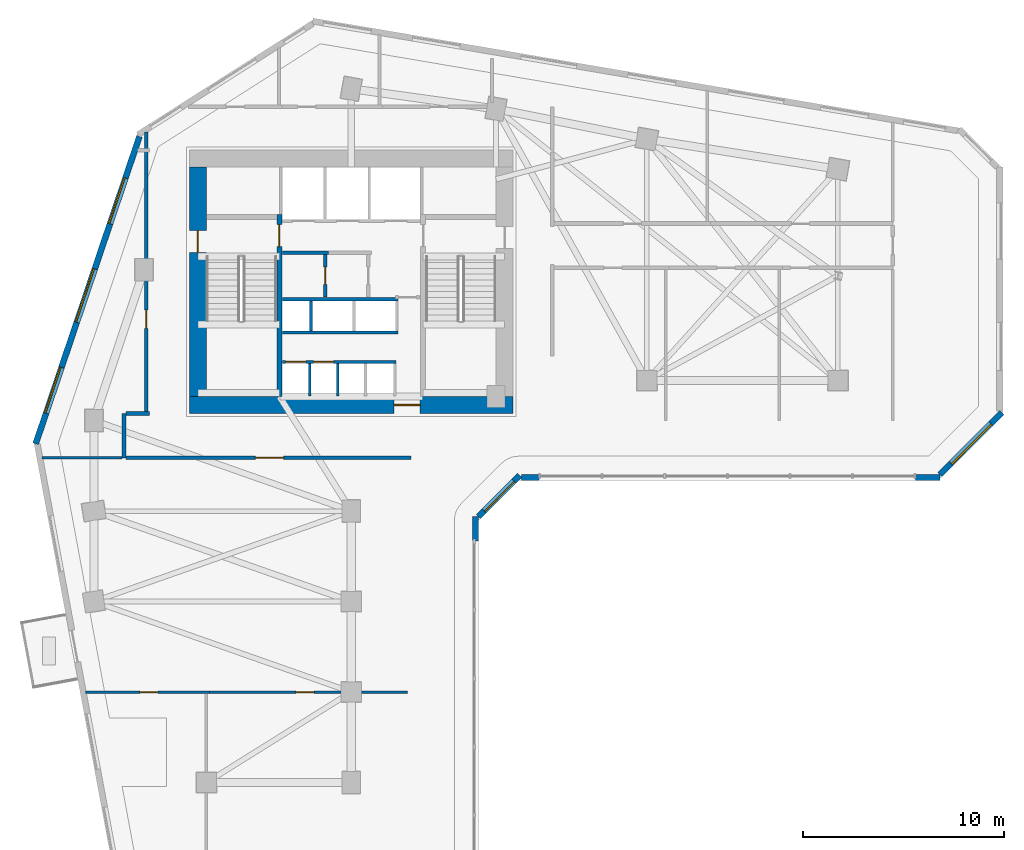
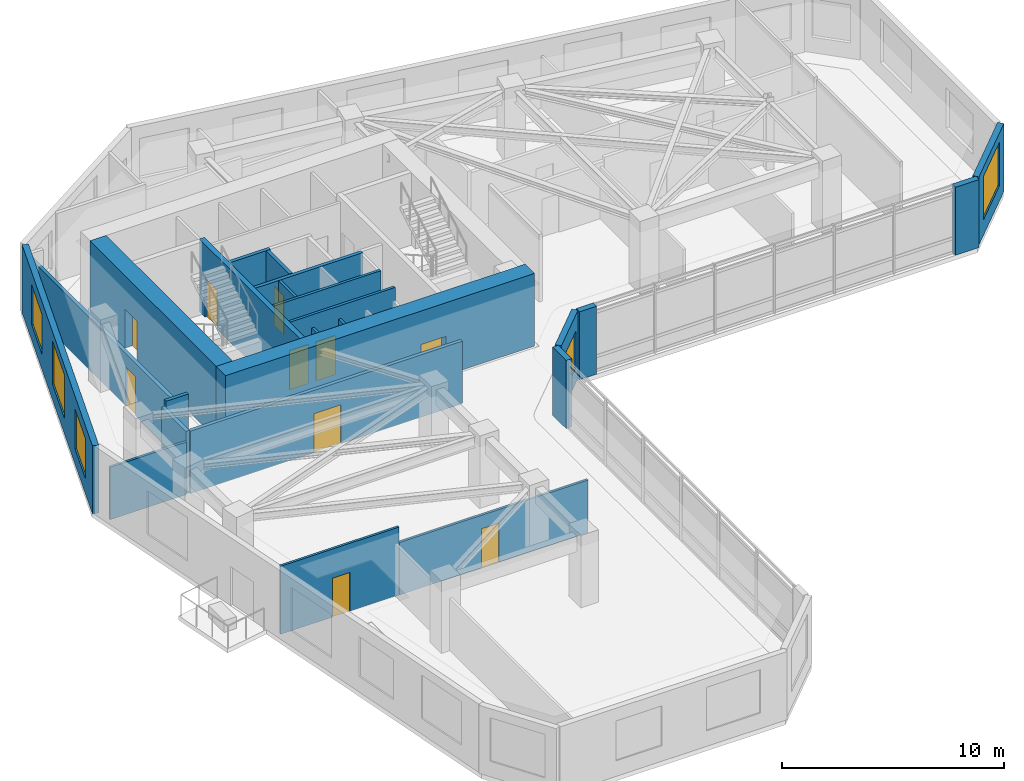
# One storey, part 5 of 9: 24 walls, 10 doors, 5 windows, 15 openings.
"""IFC4 building model written with IfcOpenShell, lengths in metres."""

from ifc_helpers import new_model, si_unit, direction, frame, frame_2d, origin, place, context, subcontext, project, spatial, rectangle, extrude, source, transform, mapped, material, layer, layer_set, type_object, element, fill, save


model = new_model("IFC4")

# Units and contexts
model_context = context("Model", 3, precision=1e-05, world=origin(), true_north=direction((0.0, 1.0)))
body_context = subcontext(model_context, "Body", "Model", "MODEL_VIEW")
ifc_project = project(units=[si_unit("LENGTHUNIT", "METRE"), si_unit("AREAUNIT", "SQUARE_METRE"), si_unit("VOLUMEUNIT", "CUBIC_METRE"), si_unit("PLANEANGLEUNIT", "RADIAN"), si_unit("MASSUNIT", "GRAM", prefix="KILO")], contexts=[model_context])

# Site, building, storey
site_placement = place(None, origin())
site = spatial("IfcSite", under=ifc_project, at=site_placement, CompositionType="ELEMENT")
building_placement = place(site_placement, origin())
building = spatial("IfcBuilding", under=site, at=building_placement, Name="Calvemar Wedge Station Tower", CompositionType="ELEMENT")
storey_placement = place(building_placement, frame((0.0, 0.0, 71.0)))
storey = spatial("IfcBuildingStorey", under=building, at=storey_placement, Name="L17", CompositionType="ELEMENT", Elevation=71.0)

# Wall, opening, door
ifc_material_1 = material(Name="Concrete C50", Category="concrete")
ifc_layer_1 = layer(ifc_material_1, 0.260009765625)
ifc_layer_set_1 = layer_set([ifc_layer_1], Name="Concrete C50")
wall_type_1 = type_object("IfcWallType", Name="SW-CORE-260", PredefinedType="SHEAR", material=ifc_layer_set_1)
wall_1_placement = place(storey_placement, frame((20.22998046875, 34.199951171875, 0.0), z_axis=(0.0, 0.0, 1.0), x_axis=(0.0, 1.0, 0.0)))
wall_1 = element("IfcWall", 1, at=wall_1_placement, inside=storey, type_object=wall_type_1, Name="Storey L17 Core Shear Wall SPINE-W", PredefinedType="SHEAR", context=body_context, shape_type="SweptSolid", body=[
    extrude(rectangle(XDim=9.06005859375, YDim=0.260009765625, at=frame_2d((4.530029296875, 0.0))), origin(), (0.0, 0.0, 1.0), 4.0),
])
shared_shape_1 = source(origin(), body_context, "Body", "SweptSolid", [
    extrude(rectangle(XDim=1.10009765625, YDim=2.14990234375, at=frame_2d((0.550048828125, 1.074951171875))), frame((0.0, 0.14013671875, 0.0), z_axis=(0.0, -1.0, 0.0), x_axis=(1.0, 0.0, 0.0)), (0.0, 0.0, 1.0), 0.280029296875),
])
opening_1_placement = place(wall_1_placement, frame((7.449951171875, 0.0, 0.0)))
opening_1 = element("IfcOpeningElement", 2, at=opening_1_placement, cuts=wall_1, Name="Opening FD-90", PredefinedType="OPENING", context=body_context, shape_type="MappedRepresentation", body=[
    mapped(shared_shape_1, transform((0.0, 0.0, 0.0), scale=1.0)),
])
ifc_material_2 = material(Name="Galvanized fire-rated steel door leaf P-90", Category="steel")
door_type_1 = type_object("IfcDoorType", Name="DR-FD90-1100", OperationType="NOTDEFINED", PredefinedType="DOOR", material=ifc_material_2)
shared_shape_2 = source(origin(), body_context, "Body", "SweptSolid", [
    extrude(rectangle(XDim=1.10009765625, YDim=2.14990234375, at=frame_2d((0.550048828125, 1.074951171875))), frame((0.0, 0.02490234375, 0.0), z_axis=(0.0, -1.0, 0.0), x_axis=(1.0, 0.0, 0.0)), (0.0, 0.0, 1.0), 0.050048828125),
])
door_1_placement = place(opening_1_placement, origin())
door_1 = element("IfcDoor", 3, at=door_1_placement, inside=storey, type_object=door_type_1, Name="L17 FF Lobby to Stair ST-C1 Door", OperationType="SINGLE_SWING_RIGHT", OverallHeight=2.14990234375, OverallWidth=1.10009765625, PredefinedType="DOOR", context=body_context, shape_type="MappedRepresentation", body=[
    mapped(shared_shape_2, transform((0.0, 0.0, 0.0), scale=1.0)),
])
fill(opening_1, door_1)

ifc_material_3 = material(Name="Concrete C80", Category="concrete")
ifc_layer_2 = layer(ifc_material_3, 0.85009765625)
ifc_layer_set_2 = layer_set([ifc_layer_2], Name="Concrete C80")
wall_type_2 = type_object("IfcWallType", Name="SW-CORE-850", PredefinedType="SHEAR", material=ifc_layer_set_2)
wall_2_placement = place(storey_placement, frame((15.75, 33.77490234375, 0.0), z_axis=(0.0, 0.0, 1.0), x_axis=(1.0, 0.0, 0.0)))
wall_2 = element("IfcWall", 4, at=wall_2_placement, inside=storey, type_object=wall_type_2, Name="Storey L17 Core Shear Wall S", PredefinedType="SHEAR", context=body_context, shape_type="SweptSolid", body=[
    extrude(rectangle(XDim=16.10009765625, YDim=0.85009765625, at=frame_2d((8.050048828125, 0.0))), origin(), (0.0, 0.0, 1.0), 4.0),
])
shared_shape_3 = source(origin(), body_context, "Body", "SweptSolid", [
    extrude(rectangle(XDim=1.300048828125, YDim=2.14990234375, at=frame_2d((0.64990234375, 1.074951171875))), frame((0.0, 0.43505859375, 0.0), z_axis=(0.0, -1.0, 0.0), x_axis=(1.0, 0.0, 0.0)), (0.0, 0.0, 1.0), 0.8701171875),
])
opening_2_placement = place(wall_2_placement, frame((10.179931640625, 0.0, 0.0)))
opening_2 = element("IfcOpeningElement", 5, at=opening_2_placement, cuts=wall_2, Name="Opening DD-130", PredefinedType="OPENING", context=body_context, shape_type="MappedRepresentation", body=[
    mapped(shared_shape_3, transform((0.0, 0.0, 0.0), scale=1.0)),
])
ifc_material_4 = material(Name="Double-leaf lift lobby fire door EI 60")
door_type_2 = type_object("IfcDoorType", Name="DR-DBL-1300", OperationType="DOUBLE_DOOR_SINGLE_SWING", PredefinedType="DOOR", material=ifc_material_4)
shared_shape_4 = source(origin(), body_context, "Body", "SweptSolid", [
    extrude(rectangle(XDim=1.300048828125, YDim=2.14990234375, at=frame_2d((0.64990234375, 1.074951171875))), frame((0.0, 0.02490234375, 0.0), z_axis=(0.0, -1.0, 0.0), x_axis=(1.0, 0.0, 0.0)), (0.0, 0.0, 1.0), 0.050048828125),
])
door_2_placement = place(opening_2_placement, origin())
door_2 = element("IfcDoor", 6, at=door_2_placement, inside=storey, type_object=door_type_2, Name="L17 Passenger Lift Lobby Door", OperationType="DOUBLE_DOOR_SINGLE_SWING", OverallHeight=2.14990234375, OverallWidth=1.300048828125, PredefinedType="DOOR", context=body_context, shape_type="MappedRepresentation", body=[
    mapped(shared_shape_4, transform((0.0, 0.0, 0.0), scale=1.0)),
])
fill(opening_2, door_2)

wall_3_placement = place(storey_placement, frame((16.175048828125, 34.199951171875, 0.0), z_axis=(0.0, 0.0, 1.0), x_axis=(0.0, 1.0, 0.0)))
wall_3 = element("IfcWall", 7, at=wall_3_placement, inside=storey, type_object=wall_type_2, Name="Storey L17 Core Shear Wall W", PredefinedType="SHEAR", context=body_context, shape_type="SweptSolid", body=[
    extrude(rectangle(XDim=11.400146484375, YDim=0.85009765625, at=frame_2d((5.7001953125, 0.0))), origin(), (0.0, 0.0, 1.0), 4.0),
])
shared_shape_5 = source(origin(), body_context, "Body", "SweptSolid", [
    extrude(rectangle(XDim=1.10009765625, YDim=2.14990234375, at=frame_2d((0.550048828125, 1.074951171875))), frame((0.0, 0.43505859375, 0.0), z_axis=(0.0, -1.0, 0.0), x_axis=(1.0, 0.0, 0.0)), (0.0, 0.0, 1.0), 0.8701171875),
])
opening_3_placement = place(wall_3_placement, frame((7.14990234375, 0.0, 0.0)))
opening_3 = element("IfcOpeningElement", 8, at=opening_3_placement, cuts=wall_3, Name="Opening FD-90", PredefinedType="OPENING", context=body_context, shape_type="MappedRepresentation", body=[
    mapped(shared_shape_5, transform((0.0, 0.0, 0.0), scale=1.0)),
])
door_3_placement = place(opening_3_placement, origin())
door_3 = element("IfcDoor", 9, at=door_3_placement, inside=storey, type_object=door_type_1, Name="L17 West Corridor to Exit Stair ST-C1 Door", OperationType="SINGLE_SWING_RIGHT", OverallHeight=2.14990234375, OverallWidth=1.10009765625, PredefinedType="DOOR", context=body_context, shape_type="MappedRepresentation", body=[
    mapped(shared_shape_2, transform((0.0, 0.0, 0.0), scale=1.0)),
])
fill(opening_3, door_3)

# Wall
ifc_material_5 = material(Name="Double-stud fire-rated corridor partition")
ifc_layer_3 = layer(ifc_material_5, 0.179931640625)
ifc_layer_set_3 = layer_set([ifc_layer_3], Name="Double-stud fire-rated corridor partition")
wall_type_3 = type_object("IfcWallType", Name="W-CORR-180", PredefinedType="PARTITIONING", material=ifc_layer_set_3)
wall_4_placement = place(storey_placement, frame((22.659912109375, 41.35009765625, 0.0), z_axis=(0.0, 0.0, 1.0), x_axis=(-1.0, 0.0, 0.0)))
element("IfcWall", 10, at=wall_4_placement, inside=storey, type_object=wall_type_3, Name="Storey L17 Interior Partition WL-L17-001", PredefinedType="PARTITIONING", context=body_context, shape_type="SweptSolid", body=[
    extrude(rectangle(XDim=2.280029296875, YDim=0.179931640625, at=frame_2d((1.14013671875, 0.0))), origin(), (0.0, 0.0, 1.0), 3.75),
])

# Wall, opening, door
wall_5_placement = place(storey_placement, frame((22.5, 41.256103515625, 0.0), z_axis=(0.0, 0.0, 1.0), x_axis=(0.0, -1.0, 0.0)))
wall_5 = element("IfcWall", 11, at=wall_5_placement, inside=storey, type_object=wall_type_3, Name="Storey L17 Interior Partition WL-L17-003", PredefinedType="PARTITIONING", context=body_context, shape_type="SweptSolid", body=[
    extrude(rectangle(XDim=2.106201171875, YDim=0.179931640625, at=frame_2d((1.05322265625, 0.0))), origin(), (0.0, 0.0, 1.0), 3.75),
])
shared_shape_6 = source(origin(), body_context, "Body", "SweptSolid", [
    extrude(rectangle(XDim=0.85009765625, YDim=2.14990234375, at=frame_2d((0.425048828125, 1.074951171875))), frame((0.0, 0.10009765625, 0.0), z_axis=(0.0, -1.0, 0.0), x_axis=(1.0, 0.0, 0.0)), (0.0, 0.0, 1.0), 0.199951171875),
])
opening_4_placement = place(wall_5_placement, frame((0.6279296875, 0.0, 0.0)))
opening_4 = element("IfcOpeningElement", 12, at=opening_4_placement, cuts=wall_5, Name="Opening FD-60S", PredefinedType="OPENING", context=body_context, shape_type="MappedRepresentation", body=[
    mapped(shared_shape_6, transform((0.0, 0.0, 0.0), scale=1.0)),
])
ifc_material_6 = material(Name="Fire-rated steel and hardwood service door EI 60", Category="steel")
door_type_3 = type_object("IfcDoorType", Name="DR-CORE-FD60-850", OperationType="NOTDEFINED", PredefinedType="DOOR", material=ifc_material_6)
shared_shape_7 = source(origin(), body_context, "Body", "SweptSolid", [
    extrude(rectangle(XDim=0.85009765625, YDim=2.14990234375, at=frame_2d((0.425048828125, 1.074951171875))), frame((0.0, 0.02490234375, 0.0), z_axis=(0.0, -1.0, 0.0), x_axis=(1.0, 0.0, 0.0)), (0.0, 0.0, 1.0), 0.050048828125),
])
door_4_placement = place(opening_4_placement, origin())
door_4 = element("IfcDoor", 13, at=door_4_placement, inside=storey, type_object=door_type_3, Name="L17 IT and Telecoms Room Door", OperationType="SINGLE_SWING_RIGHT", OverallHeight=2.14990234375, OverallWidth=0.85009765625, PredefinedType="DOOR", context=body_context, shape_type="MappedRepresentation", body=[
    mapped(shared_shape_7, transform((0.0, 0.0, 0.0), scale=1.0)),
])
fill(opening_4, door_4)

# Walls
wall_6_placement = place(storey_placement, frame((12.5, 31.14990234375, 0.0), z_axis=(0.0, 0.0, 1.0), x_axis=(0.0, 1.0, 0.0)))
element("IfcWall", 14, at=wall_6_placement, inside=storey, type_object=wall_type_3, Name="Storey L17 Interior Partition WL-L17-006", PredefinedType="PARTITIONING", context=body_context, shape_type="SweptSolid", body=[
    extrude(rectangle(XDim=2.2001953125, YDim=0.179931640625, at=frame_2d((1.10009765625, 0.0))), origin(), (0.0, 0.0, 1.0), 3.43408203125),
])
wall_7_placement = place(storey_placement, frame((12.593994140625, 33.35009765625, 0.0), z_axis=(0.0, 0.0, 1.0), x_axis=(1.0, 0.0, 0.0)))
element("IfcWall", 15, at=wall_7_placement, inside=storey, type_object=wall_type_3, Name="Storey L17 Interior Partition WL-L17-007", PredefinedType="PARTITIONING", context=body_context, shape_type="SweptSolid", body=[
    extrude(rectangle(XDim=1.166015625, YDim=0.179931640625, at=frame_2d((0.5830078125, 0.0))), origin(), (0.0, 0.0, 1.0), 3.75),
])

# Wall, opening, door
wall_8_placement = place(storey_placement, frame((26.760009765625, 31.14990234375, 0.0), z_axis=(0.0, 0.0, 1.0), x_axis=(-1.0, 0.0, 0.0)))
wall_8 = element("IfcWall", 16, at=wall_8_placement, inside=storey, type_object=wall_type_3, Name="Storey L17 Interior Partition WL-L17-008", PredefinedType="PARTITIONING", context=body_context, shape_type="SweptSolid", body=[
    extrude(rectangle(XDim=14.166015625, YDim=0.179931640625, at=frame_2d((7.0830078125, 0.0))), origin(), (0.0, 0.0, 1.0), 3.43408203125),
])
shared_shape_8 = source(origin(), body_context, "Body", "SweptSolid", [
    extrude(rectangle(XDim=1.39990234375, YDim=2.14990234375, at=frame_2d((0.699951171875, 1.074951171875))), frame((0.0, 0.10009765625, 0.0), z_axis=(0.0, -1.0, 0.0), x_axis=(1.0, 0.0, 0.0)), (0.0, 0.0, 1.0), 0.199951171875),
])
opening_5_placement = place(wall_8_placement, frame((6.322509765625, 0.0, 0.0)))
opening_5 = element("IfcOpeningElement", 17, at=opening_5_placement, cuts=wall_8, Name="Opening DD-140", PredefinedType="OPENING", context=body_context, shape_type="MappedRepresentation", body=[
    mapped(shared_shape_8, transform((0.0, 0.0, 0.0), scale=1.0)),
])
ifc_material_7 = material(Name="Double-leaf corridor acoustic fire door EI 60")
door_type_4 = type_object("IfcDoorType", Name="DR-DBL-1400", OperationType="DOUBLE_DOOR_SINGLE_SWING", PredefinedType="DOOR", material=ifc_material_7)
shared_shape_9 = source(origin(), body_context, "Body", "SweptSolid", [
    extrude(rectangle(XDim=1.39990234375, YDim=2.14990234375, at=frame_2d((0.699951171875, 1.074951171875))), frame((0.0, 0.02490234375, 0.0), z_axis=(0.0, -1.0, 0.0), x_axis=(1.0, 0.0, 0.0)), (0.0, 0.0, 1.0), 0.050048828125),
])
door_5_placement = place(opening_5_placement, origin())
door_5 = element("IfcDoor", 18, at=door_5_placement, inside=storey, type_object=door_type_4, Name="L17 Co-Working Studio Door", OperationType="SINGLE_SWING_LEFT", OverallHeight=2.14990234375, OverallWidth=1.39990234375, PredefinedType="DOOR", context=body_context, shape_type="MappedRepresentation", body=[
    mapped(shared_shape_9, transform((0.0, 0.0, 0.0), scale=1.0)),
])
fill(opening_5, door_5)

wall_9_placement = place(storey_placement, frame((13.60009765625, 33.444091796875, 0.0), z_axis=(0.0, 0.0, 1.0), x_axis=(0.0, 1.0, 0.0)))
wall_9 = element("IfcWall", 19, at=wall_9_placement, inside=storey, type_object=wall_type_3, Name="Storey L17 Interior Partition WL-L17-009", PredefinedType="PARTITIONING", context=body_context, shape_type="SweptSolid", body=[
    extrude(rectangle(XDim=13.896240234375, YDim=0.179931640625, at=frame_2d((6.9482421875, 0.0))), origin(), (0.0, 0.0, 1.0), 2.89208984375),
])
shared_shape_10 = source(origin(), body_context, "Body", "SweptSolid", [
    extrude(rectangle(XDim=0.89990234375, YDim=2.14990234375, at=frame_2d((0.449951171875, 1.074951171875))), frame((0.0, 0.10009765625, 0.0), z_axis=(0.0, -1.0, 0.0), x_axis=(1.0, 0.0, 0.0)), (0.0, 0.0, 1.0), 0.199951171875),
])
opening_6_placement = place(wall_9_placement, frame((4.143798828125, 0.0, 0.0)))
opening_6 = element("IfcOpeningElement", 20, at=opening_6_placement, cuts=wall_9, Name="Opening D-01", PredefinedType="OPENING", context=body_context, shape_type="MappedRepresentation", body=[
    mapped(shared_shape_10, transform((0.0, 0.0, 0.0), scale=1.0)),
])
ifc_material_8 = material(Name="Architectural hardwood acoustic swing door", Category="wood")
door_type_5 = type_object("IfcDoorType", Name="DR-INT-900", OperationType="NOTDEFINED", PredefinedType="DOOR", material=ifc_material_8)
shared_shape_11 = source(origin(), body_context, "Body", "SweptSolid", [
    extrude(rectangle(XDim=0.89990234375, YDim=2.14990234375, at=frame_2d((0.449951171875, 1.074951171875))), frame((0.0, 0.02490234375, 0.0), z_axis=(0.0, -1.0, 0.0), x_axis=(1.0, 0.0, 0.0)), (0.0, 0.0, 1.0), 0.050048828125),
])
door_6_placement = place(opening_6_placement, origin())
door_6 = element("IfcDoor", 21, at=door_6_placement, inside=storey, type_object=door_type_5, Name="L17 Co-Working Studio Door", OperationType="SINGLE_SWING_LEFT", OverallHeight=2.14990234375, OverallWidth=0.89990234375, PredefinedType="DOOR", context=body_context, shape_type="MappedRepresentation", body=[
    mapped(shared_shape_11, transform((0.0, 0.0, 0.0), scale=1.0)),
])
fill(opening_6, door_6)

# Wall
ifc_material_9 = material(Name="Precast concrete C45", Category="concrete")
ifc_layer_4 = layer(ifc_material_9, 0.300048828125)
ifc_layer_set_4 = layer_set([ifc_layer_4], Name="Precast concrete C45")
wall_type_4 = type_object("IfcWallType", Name="W-EXT-GFRC-300", PredefinedType="SOLIDWALL", material=ifc_layer_set_4)
wall_10_placement = place(storey_placement, frame((29.97802734375, 27.01513671875, 0.0), z_axis=(0.0, 0.0, 1.0), x_axis=(0.0, 1.0, 0.0)))
element("IfcWall", 22, at=wall_10_placement, inside=storey, type_object=wall_type_4, Name="Storey L17 Bronze GFRC Corner Pier 4B", PredefinedType="SOLIDWALL", context=body_context, shape_type="SweptSolid", body=[
    extrude(rectangle(XDim=1.224853515625, YDim=0.300048828125, at=frame_2d((0.6123046875, 0.0))), origin(), (0.0, 0.0, 1.0), 3.75),
])

# Wall, opening, window
wall_11_placement = place(storey_placement, frame((30.115966796875, 28.22802734375, 0.0), z_axis=(0.0, 0.0, 1.0), x_axis=(0.707064797706, 0.707148762175, 0.0)))
wall_11 = element("IfcWall", 23, at=wall_11_placement, inside=storey, type_object=wall_type_4, Name="Storey L17 Bronze GFRC Exterior Wall 5", PredefinedType="SOLIDWALL", context=body_context, shape_type="SweptSolid", body=[
    extrude(rectangle(XDim=2.90771484375, YDim=0.300048828125, at=frame_2d((1.453857421875, 0.0))), origin(), (0.0, 0.0, 1.0), 3.75),
])
shared_shape_12 = source(origin(), body_context, "Body", "SweptSolid", [
    extrude(rectangle(XDim=2.10009765625, YDim=2.0, at=frame_2d((1.050048828125, 1.0))), frame((0.0, 0.16015625, 0.0), z_axis=(0.0, -1.0, 0.0), x_axis=(1.0, 0.0, 0.0)), (0.0, 0.0, 1.0), 0.320068359375),
])
opening_7_placement = place(wall_11_placement, frame((0.404052734375, 0.0, 0.85009765625)))
opening_7 = element("IfcOpeningElement", 24, at=opening_7_placement, cuts=wall_11, Name="Opening W4", PredefinedType="OPENING", context=body_context, shape_type="MappedRepresentation", body=[
    mapped(shared_shape_12, transform((0.0, 0.0, 0.0), scale=1.0)),
])
ifc_material_10 = material(Name="Low-E laminated insulated glass", Category="glass")
window_type_1 = type_object("IfcWindowType", Name="WIN-EXT-4", PartitioningType="SINGLE_PANEL", PredefinedType="WINDOW", material=ifc_material_10)
shared_shape_13 = source(origin(), body_context, "Body", "SweptSolid", [
    extrude(rectangle(XDim=2.10009765625, YDim=2.0, at=frame_2d((1.050048828125, 1.0))), frame((0.0, -0.014892578125, 0.0), z_axis=(0.0, -1.0, 0.0), x_axis=(1.0, 0.0, 0.0)), (0.0, 0.0, 1.0), 0.06005859375),
])
window_1_placement = place(opening_7_placement, origin())
window_1 = element("IfcWindow", 25, at=window_1_placement, inside=storey, type_object=window_type_1, Name="Storey L17 Recessed Window 5.1", OverallHeight=2.0, OverallWidth=2.10009765625, PartitioningType="SINGLE_PANEL", PredefinedType="WINDOW", context=body_context, shape_type="MappedRepresentation", body=[
    mapped(shared_shape_13, transform((0.0, 0.0, 0.0), scale=1.0)),
])
fill(opening_7, window_1)

# Walls
wall_12_placement = place(storey_placement, frame((32.260986328125, 30.177978515625, 0.0), z_axis=(0.0, 0.0, 1.0), x_axis=(1.0, 0.0, 0.0)))
element("IfcWall", 26, at=wall_12_placement, inside=storey, type_object=wall_type_4, Name="Storey L17 Bronze GFRC Corner Pier 6A", PredefinedType="SOLIDWALL", context=body_context, shape_type="SweptSolid", body=[
    extrude(rectangle(XDim=0.8798828125, YDim=0.300048828125, at=frame_2d((0.43994140625, 0.0))), origin(), (0.0, 0.0, 1.0), 3.75),
])
wall_13_placement = place(storey_placement, frame((51.86279296875, 30.177978515625, 0.0), z_axis=(0.0, 0.0, 1.0), x_axis=(1.0, 0.0, 0.0)))
element("IfcWall", 27, at=wall_13_placement, inside=storey, type_object=wall_type_4, Name="Storey L17 Bronze GFRC Corner Pier 6B", PredefinedType="SOLIDWALL", context=body_context, shape_type="SweptSolid", body=[
    extrude(rectangle(XDim=1.22509765625, YDim=0.300048828125, at=frame_2d((0.612548828125, 0.0))), origin(), (0.0, 0.0, 1.0), 3.75),
])

# Wall, opening, window
wall_14_placement = place(storey_placement, frame((53.075927734375, 30.31591796875, 0.0), z_axis=(0.0, 0.0, 1.0), x_axis=(0.707078757535, 0.707134803727, 0.0)))
wall_14 = element("IfcWall", 28, at=wall_14_placement, inside=storey, type_object=wall_type_4, Name="Storey L17 Bronze GFRC Exterior Wall 7", PredefinedType="SOLIDWALL", context=body_context, shape_type="SweptSolid", body=[
    extrude(rectangle(XDim=4.35595703125, YDim=0.300048828125, at=frame_2d((2.177978515625, 0.0))), origin(), (0.0, 0.0, 1.0), 3.75),
])
shared_shape_14 = source(origin(), body_context, "Body", "SweptSolid", [
    extrude(rectangle(XDim=2.800048828125, YDim=2.39990234375, at=frame_2d((1.39990234375, 1.199951171875))), frame((0.0, 0.16015625, 0.0), z_axis=(0.0, -1.0, 0.0), x_axis=(1.0, 0.0, 0.0)), (0.0, 0.0, 1.0), 0.320068359375),
])
opening_8_placement = place(wall_14_placement, frame((0.778076171875, 0.0, 0.85009765625)))
opening_8 = element("IfcOpeningElement", 29, at=opening_8_placement, cuts=wall_14, Name="Opening W6", PredefinedType="OPENING", context=body_context, shape_type="MappedRepresentation", body=[
    mapped(shared_shape_14, transform((0.0, 0.0, 0.0), scale=1.0)),
])
window_type_2 = type_object("IfcWindowType", Name="WIN-EXT-6", PartitioningType="SINGLE_PANEL", PredefinedType="WINDOW", material=ifc_material_10)
shared_shape_15 = source(origin(), body_context, "Body", "SweptSolid", [
    extrude(rectangle(XDim=2.800048828125, YDim=2.39990234375, at=frame_2d((1.39990234375, 1.199951171875))), frame((0.0, -0.014892578125, 0.0), z_axis=(0.0, -1.0, 0.0), x_axis=(1.0, 0.0, 0.0)), (0.0, 0.0, 1.0), 0.06005859375),
])
window_2_placement = place(opening_8_placement, origin())
window_2 = element("IfcWindow", 30, at=window_2_placement, inside=storey, type_object=window_type_2, Name="Storey L17 Recessed Window 7.1", OverallHeight=2.39990234375, OverallWidth=2.800048828125, PartitioningType="SINGLE_PANEL", PredefinedType="WINDOW", context=body_context, shape_type="MappedRepresentation", body=[
    mapped(shared_shape_15, transform((0.0, 0.0, 0.0), scale=1.0)),
])
fill(opening_8, window_2)

# Wall, openings, windows
wall_15_placement = place(storey_placement, frame((13.2685546875, 47.1337890625, 0.0), z_axis=(0.0, 0.0, 1.0), x_axis=(-0.319920423265, -0.947444416722, 0.0)))
wall_15 = element("IfcWall", 31, at=wall_15_placement, inside=storey, type_object=wall_type_4, Name="Storey L17 Bronze GFRC Exterior Wall 12", PredefinedType="SOLIDWALL", context=body_context, shape_type="SweptSolid", body=[
    extrude(rectangle(XDim=16.134765625, YDim=0.300048828125, at=frame_2d((8.0673828125, 0.0))), origin(), (0.0, 0.0, 1.0), 3.75),
])
shared_shape_16 = source(origin(), body_context, "Body", "SweptSolid", [
    extrude(rectangle(XDim=2.39990234375, YDim=2.199951171875, at=frame_2d((1.199951171875, 1.10009765625))), frame((0.0, 0.16015625, 0.0), z_axis=(0.0, -1.0, 0.0), x_axis=(1.0, 0.0, 0.0)), (0.0, 0.0, 1.0), 0.320068359375),
])
opening_9_placement = place(wall_15_placement, frame((2.18798828125, 0.0, 0.85009765625)))
opening_9 = element("IfcOpeningElement", 32, at=opening_9_placement, cuts=wall_15, Name="Opening W1", PredefinedType="OPENING", context=body_context, shape_type="MappedRepresentation", body=[
    mapped(shared_shape_16, transform((0.0, 0.0, 0.0), scale=1.0)),
])
opening_10_placement = place(wall_15_placement, frame((6.958984375, 0.0, 0.85009765625)))
opening_10 = element("IfcOpeningElement", 33, at=opening_10_placement, cuts=wall_15, Name="Opening W6", PredefinedType="OPENING", context=body_context, shape_type="MappedRepresentation", body=[
    mapped(shared_shape_14, transform((0.0, 0.0, 0.0), scale=1.0)),
])
opening_11_placement = place(wall_15_placement, frame((12.1298828125, 0.0, 0.85009765625)))
opening_11 = element("IfcOpeningElement", 34, at=opening_11_placement, cuts=wall_15, Name="Opening W1", PredefinedType="OPENING", context=body_context, shape_type="MappedRepresentation", body=[
    mapped(shared_shape_16, transform((0.0, 0.0, 0.0), scale=1.0)),
])
window_3_placement = place(opening_10_placement, origin())
window_3 = element("IfcWindow", 35, at=window_3_placement, inside=storey, type_object=window_type_2, Name="Storey L17 Recessed Window 12.2", OverallHeight=2.39990234375, OverallWidth=2.800048828125, PartitioningType="SINGLE_PANEL", PredefinedType="WINDOW", context=body_context, shape_type="MappedRepresentation", body=[
    mapped(shared_shape_15, transform((0.0, 0.0, 0.0), scale=1.0)),
])
fill(opening_10, window_3)
window_type_3 = type_object("IfcWindowType", Name="WIN-EXT-1", PartitioningType="SINGLE_PANEL", PredefinedType="WINDOW", material=ifc_material_10)
shared_shape_17 = source(origin(), body_context, "Body", "SweptSolid", [
    extrude(rectangle(XDim=2.39990234375, YDim=2.199951171875, at=frame_2d((1.199951171875, 1.10009765625))), frame((0.0, -0.014892578125, 0.0), z_axis=(0.0, -1.0, 0.0), x_axis=(1.0, 0.0, 0.0)), (0.0, 0.0, 1.0), 0.06005859375),
])
window_4_placement = place(opening_9_placement, origin())
window_4 = element("IfcWindow", 36, at=window_4_placement, inside=storey, type_object=window_type_3, Name="Storey L17 Recessed Window 12.1", OverallHeight=2.199951171875, OverallWidth=2.39990234375, PartitioningType="SINGLE_PANEL", PredefinedType="WINDOW", context=body_context, shape_type="MappedRepresentation", body=[
    mapped(shared_shape_17, transform((0.0, 0.0, 0.0), scale=1.0)),
])
fill(opening_9, window_4)
window_5_placement = place(opening_11_placement, origin())
window_5 = element("IfcWindow", 37, at=window_5_placement, inside=storey, type_object=window_type_3, Name="Storey L17 Recessed Window 12.3", OverallHeight=2.199951171875, OverallWidth=2.39990234375, PartitioningType="SINGLE_PANEL", PredefinedType="WINDOW", context=body_context, shape_type="MappedRepresentation", body=[
    mapped(shared_shape_17, transform((0.0, 0.0, 0.0), scale=1.0)),
])
fill(opening_11, window_5)

# Wall, openings, doors
ifc_material_11 = material(Name="Reinforced concrete blockwork lift shaft wall", Category="masonry")
ifc_layer_5 = layer(ifc_material_11, 0.139892578125)
ifc_layer_set_5 = layer_set([ifc_layer_5], Name="Reinforced concrete blockwork lift shaft wall")
wall_type_5 = type_object("IfcWallType", Name="W-LIFT-160", PredefinedType="SOLIDWALL", material=ifc_layer_set_5)
wall_16_placement = place(storey_placement, frame((20.3798828125, 35.919921875, 0.0), z_axis=(0.0, 0.0, 1.0), x_axis=(1.0, 0.0, 0.0)))
wall_16 = element("IfcWall", 38, at=wall_16_placement, inside=storey, type_object=wall_type_5, Name="Storey L17 South Passenger Lift Bank Front Wall", PredefinedType="SOLIDWALL", context=body_context, shape_type="SweptSolid", body=[
    extrude(rectangle(XDim=5.650146484375, YDim=0.139892578125, at=frame_2d((2.8251953125, 0.0))), origin(), (0.0, 0.0, 1.0), 3.75),
])
shared_shape_18 = source(origin(), body_context, "Body", "SweptSolid", [
    extrude(rectangle(XDim=1.0, YDim=2.14990234375, at=frame_2d((0.5, 1.074951171875))), frame((0.0, 0.080078125, 0.0), z_axis=(0.0, -1.0, 0.0), x_axis=(1.0, 0.0, 0.0)), (0.0, 0.0, 1.0), 0.159912109375),
])
opening_12_placement = place(wall_16_placement, frame((0.159912109375, 0.0, 0.0)))
opening_12 = element("IfcOpeningElement", 39, at=opening_12_placement, cuts=wall_16, Name="Opening LD-PAX", PredefinedType="OPENING", context=body_context, shape_type="MappedRepresentation", body=[
    mapped(shared_shape_18, transform((0.0, 0.0, 0.0), scale=1.0)),
])
opening_13_placement = place(wall_16_placement, frame((1.550048828125, 0.0, 0.0)))
opening_13 = element("IfcOpeningElement", 40, at=opening_13_placement, cuts=wall_16, Name="Opening LD-PAX", PredefinedType="OPENING", context=body_context, shape_type="MappedRepresentation", body=[
    mapped(shared_shape_18, transform((0.0, 0.0, 0.0), scale=1.0)),
])
ifc_material_12 = material(Name="Anodised bronze passenger lift sliding landing door")
door_type_6 = type_object("IfcDoorType", Name="DR-LD-PAX-1000", OperationType="SLIDING_TO_LEFT", PredefinedType="DOOR", material=ifc_material_12)
shared_shape_19 = source(origin(), body_context, "Body", "SweptSolid", [
    extrude(rectangle(XDim=1.0, YDim=2.14990234375, at=frame_2d((0.5, 1.074951171875))), frame((0.0, 0.02490234375, 0.0), z_axis=(0.0, -1.0, 0.0), x_axis=(1.0, 0.0, 0.0)), (0.0, 0.0, 1.0), 0.050048828125),
])
door_7_placement = place(opening_12_placement, origin())
door_7 = element("IfcDoor", 41, at=door_7_placement, inside=storey, type_object=door_type_6, Name="L17 Lift OL-01 Sliding Landing Door", OperationType="SLIDING_TO_LEFT", OverallHeight=2.14990234375, OverallWidth=1.0, PredefinedType="DOOR", context=body_context, shape_type="MappedRepresentation", body=[
    mapped(shared_shape_19, transform((0.0, 0.0, 0.0), scale=1.0)),
])
fill(opening_12, door_7)
door_8_placement = place(opening_13_placement, origin())
door_8 = element("IfcDoor", 42, at=door_8_placement, inside=storey, type_object=door_type_6, Name="L17 Lift OL-02 Sliding Landing Door", OperationType="SLIDING_TO_RIGHT", OverallHeight=2.14990234375, OverallWidth=1.0, PredefinedType="DOOR", context=body_context, shape_type="MappedRepresentation", body=[
    mapped(shared_shape_19, transform((0.0, 0.0, 0.0), scale=1.0)),
])
fill(opening_13, door_8)

# Walls
for number, where, z_axis, x_axis, name in (
    (43, (21.735107421875, 34.219970703125, 0.0), (0.0, 0.0, 1.0), (0.0, 1.0, 0.0), "Storey L17 South Passenger Lift Shaft Wall D1"),
    (44, (23.125, 34.219970703125, 0.0), (0.0, 0.0, 1.0), (0.0, 1.0, 0.0), "Storey L17 South Passenger Lift Shaft Wall D2"),
):
    element("IfcWall", number, at=place(storey_placement, frame(where, z_axis=z_axis, x_axis=x_axis)), inside=storey, type_object=wall_type_5, Name=name, PredefinedType="SOLIDWALL", context=body_context, shape_type="SweptSolid", body=[
        extrude(rectangle(XDim=1.6201171875, YDim=0.139892578125, at=frame_2d((0.81005859375, 0.0))), origin(), (0.0, 0.0, 1.0), 3.0419921875),
    ])
wall_17_placement = place(storey_placement, frame((20.3798828125, 37.3798828125, 0.0), z_axis=(0.0, 0.0, 1.0), x_axis=(1.0, 0.0, 0.0)))
element("IfcWall", 45, at=wall_17_placement, inside=storey, type_object=wall_type_5, Name="Storey L17 Upper Passenger Lift Bank Front Wall", PredefinedType="SOLIDWALL", context=body_context, shape_type="SweptSolid", body=[
    extrude(rectangle(XDim=5.75, YDim=0.139892578125, at=frame_2d((2.875, 0.0))), origin(), (0.0, 0.0, 1.0), 3.75),
])
wall_18_placement = place(storey_placement, frame((21.794921875, 37.4599609375, 0.0), z_axis=(0.0, 0.0, 1.0), x_axis=(0.0, 1.0, 0.0)))
element("IfcWall", 46, at=wall_18_placement, inside=storey, type_object=wall_type_5, Name="Storey L17 Upper Passenger Lift Shaft Wall D1", PredefinedType="SOLIDWALL", context=body_context, shape_type="SweptSolid", body=[
    extrude(rectangle(XDim=1.47998046875, YDim=0.139892578125, at=frame_2d((0.739990234375, 0.0))), origin(), (0.0, 0.0, 1.0), 3.75),
])
ifc_material_13 = material(Name="Insulated acoustic gypsum stud partition")
ifc_layer_6 = layer(ifc_material_13, 0.125)
ifc_layer_set_6 = layer_set([ifc_layer_6], Name="Insulated acoustic gypsum stud partition")
wall_type_6 = type_object("IfcWallType", Name="W-PART-125", PredefinedType="PARTITIONING", material=ifc_layer_set_6)
wall_19_placement = place(storey_placement, frame((12.406005859375, 31.14990234375, 0.0), z_axis=(0.0, 0.0, 1.0), x_axis=(-1.0, 0.0, 0.0)))
element("IfcWall", 47, at=wall_19_placement, inside=storey, type_object=wall_type_6, Name="Storey L17 Interior Partition WL-L17-017", PredefinedType="PARTITIONING", context=body_context, shape_type="SweptSolid", body=[
    extrude(rectangle(XDim=3.97900390625, YDim=0.125, at=frame_2d((1.989501953125, 0.0))), origin(), (0.0, 0.0, 1.0), 2.89208984375),
])

# Wall, opening, door
wall_20_placement = place(storey_placement, frame((16.760009765625, 19.5, 0.0), z_axis=(0.0, 0.0, 1.0), x_axis=(-1.0, 0.0, 0.0)))
wall_20 = element("IfcWall", 48, at=wall_20_placement, inside=storey, type_object=wall_type_6, Name="Storey L17 Interior Partition WL-L17-031", PredefinedType="PARTITIONING", context=body_context, shape_type="SweptSolid", body=[
    extrude(rectangle(XDim=6.1748046875, YDim=0.125, at=frame_2d((3.08740234375, 0.0))), origin(), (0.0, 0.0, 1.0), 3.75),
])
shared_shape_20 = source(origin(), body_context, "Body", "SweptSolid", [
    extrude(rectangle(XDim=0.89990234375, YDim=2.14990234375, at=frame_2d((0.449951171875, 1.074951171875))), frame((0.0, 0.072509765625, 0.0), z_axis=(0.0, -1.0, 0.0), x_axis=(1.0, 0.0, 0.0)), (0.0, 0.0, 1.0), 0.14501953125),
])
opening_14_placement = place(wall_20_placement, frame((2.576904296875, 0.0, 0.0)))
opening_14 = element("IfcOpeningElement", 49, at=opening_14_placement, cuts=wall_20, Name="Opening D-01", PredefinedType="OPENING", context=body_context, shape_type="MappedRepresentation", body=[
    mapped(shared_shape_20, transform((0.0, 0.0, 0.0), scale=1.0)),
])
door_9_placement = place(opening_14_placement, origin())
door_9 = element("IfcDoor", 50, at=door_9_placement, inside=storey, type_object=door_type_5, Name="L17 Conference Room Door", OperationType="SINGLE_SWING_RIGHT", OverallHeight=2.14990234375, OverallWidth=0.89990234375, PredefinedType="DOOR", context=body_context, shape_type="MappedRepresentation", body=[
    mapped(shared_shape_11, transform((0.0, 0.0, 0.0), scale=1.0)),
])
fill(opening_14, door_9)

wall_21_placement = place(storey_placement, frame((26.60009765625, 19.5, 0.0), z_axis=(0.0, 0.0, 1.0), x_axis=(-1.0, 0.0, 0.0)))
wall_21 = element("IfcWall", 51, at=wall_21_placement, inside=storey, type_object=wall_type_6, Name="Storey L17 Interior Partition WL-L17-032", PredefinedType="PARTITIONING", context=body_context, shape_type="SweptSolid", body=[
    extrude(rectangle(XDim=9.838134765625, YDim=0.125, at=frame_2d((4.9189453125, 0.0))), origin(), (0.0, 0.0, 1.0), 2.89208984375),
])
opening_15_placement = place(wall_21_placement, frame((4.651123046875, 0.0, 0.0)))
opening_15 = element("IfcOpeningElement", 52, at=opening_15_placement, cuts=wall_21, Name="Opening D-01", PredefinedType="OPENING", context=body_context, shape_type="MappedRepresentation", body=[
    mapped(shared_shape_20, transform((0.0, 0.0, 0.0), scale=1.0)),
])
door_10_placement = place(opening_15_placement, origin())
door_10 = element("IfcDoor", 53, at=door_10_placement, inside=storey, type_object=door_type_5, Name="L17 Business Lounge Door", OperationType="SINGLE_SWING_LEFT", OverallHeight=2.14990234375, OverallWidth=0.89990234375, PredefinedType="DOOR", context=body_context, shape_type="MappedRepresentation", body=[
    mapped(shared_shape_11, transform((0.0, 0.0, 0.0), scale=1.0)),
])
fill(opening_15, door_10)

# Wall
ifc_material_14 = material(Name="Concrete blockwork and fireboard shaft wall", Category="masonry")
ifc_layer_7 = layer(ifc_material_14, 0.199951171875)
ifc_layer_set_7 = layer_set([ifc_layer_7], Name="Concrete blockwork and fireboard shaft wall")
wall_type_7 = type_object("IfcWallType", Name="W-SHAFT-200", PredefinedType="SOLIDWALL", material=ifc_layer_set_7)
wall_22_placement = place(storey_placement, frame((20.3798828125, 39.0400390625, 0.0), z_axis=(0.0, 0.0, 1.0), x_axis=(1.0, 0.0, 0.0)))
element("IfcWall", 54, at=wall_22_placement, inside=storey, type_object=wall_type_7, Name="Storey L17 Upper Passenger Lift Bank Rear Shaft Wall", PredefinedType="SOLIDWALL", context=body_context, shape_type="SweptSolid", body=[
    extrude(rectangle(XDim=5.75, YDim=0.179931640625, at=frame_2d((2.875, 0.0))), origin(), (0.0, 0.0, 1.0), 3.75),
])

save(model, "model.ifc")
